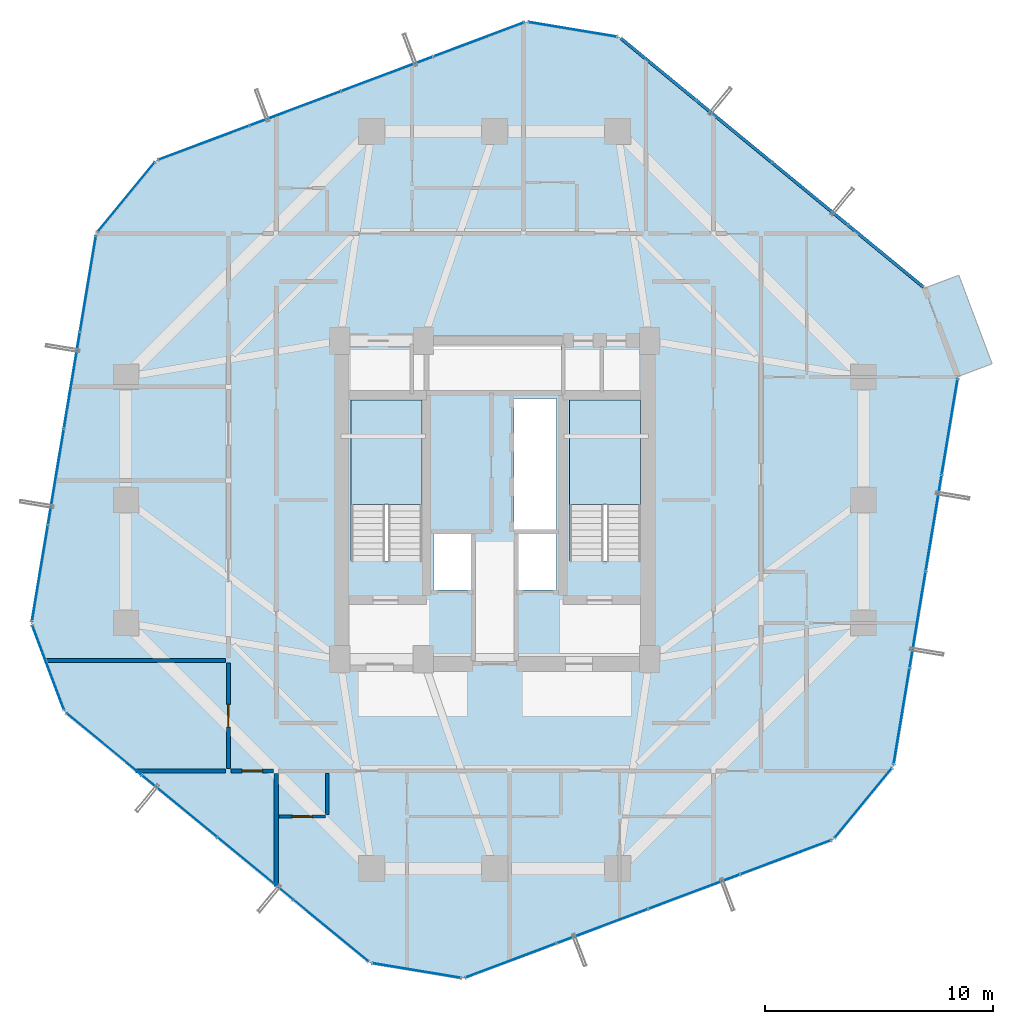
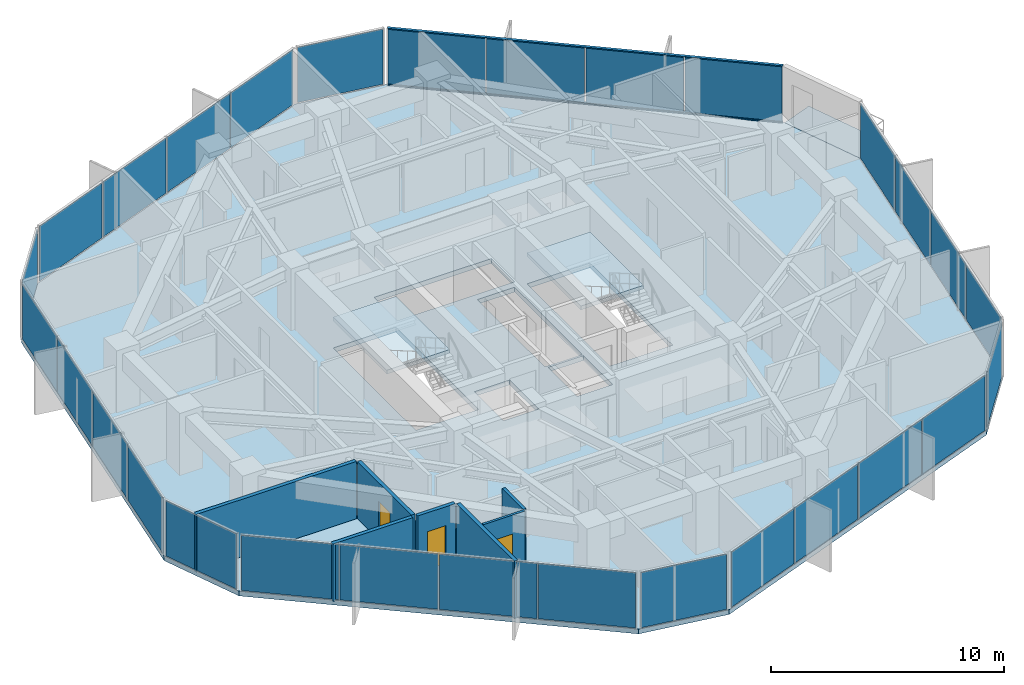
# One storey, part 24 of 30: 29 plates, 7 walls, 4 slabs, 3 doors, 2 members, 3 openings, 13 elements without a shape of their own.
"""IFC4 building model written with IfcOpenShell, lengths in metres."""

import ifcopenshell
import ifcopenshell.guid

model = None  # the IFC model being written
_history = None  # IfcOwnerHistory: only IFC2X3 demands one
_inside = {}  # id of a spatial element -> (the spatial element, [elements in it])
_under = {}  # id of a project, library or spatial element -> (it, [spatial elements below it])
_declared = {}  # id of a project -> (the project, [libraries it declares])
_typed = {}  # id of a type object -> (the type object, [elements of that type])
_made_of = {}  # id of a material, layer set ... -> (it, [elements and type objects made of it])


def new_model(schema):
    """Start an empty IFC model of exactly this schema.

    Asked for "IFC4X3", IfcOpenShell would pick the latest addendum, in which some entities
    have other attributes; the version numbers below select the first issue.
    IFC2X3 requires an IfcOwnerHistory on every rooted entity: one is made here for all.
    """
    global model, _history
    if schema == "IFC4X3":
        model = ifcopenshell.file(schema_version=(4, 3, 0, 0))
    else:
        model = ifcopenshell.file(schema=schema)
    _inside.clear()
    _under.clear()
    _declared.clear()
    _typed.clear()
    _made_of.clear()
    _history = None
    if model.schema == "IFC2X3":
        org = make("IfcOrganization", Name="unknown")
        user = make(
            "IfcPersonAndOrganization",
            ThePerson=make("IfcPerson", FamilyName="unknown"),
            TheOrganization=org,
        )
        app = make(
            "IfcApplication",
            ApplicationDeveloper=org,
            Version="unknown",
            ApplicationFullName="unknown",
            ApplicationIdentifier="unknown",
        )
        _history = make(
            "IfcOwnerHistory",
            OwningUser=user,
            OwningApplication=app,
            ChangeAction="ADDED",
            CreationDate=0,
        )
    return model


def make(cls, **values):
    """One entity of the class cls with the attributes given. An attribute that is None is left unset."""
    return model.create_entity(
        cls, **{name: value for name, value in values.items() if value is not None}
    )


def rooted(cls, **values):
    """An entity with a GlobalId (a new one), such as an element, a storey or a relation."""
    return make(cls, GlobalId=ifcopenshell.guid.new(), OwnerHistory=_history, **values)


def si_unit(unit_type, name, prefix=None):
    """IfcSIUnit, for example si_unit("LENGTHUNIT", "METRE", prefix="MILLI")."""
    return make("IfcSIUnit", UnitType=unit_type, Prefix=prefix, Name=name)


def assignment(units):
    """IfcUnitAssignment: the units of a project."""
    return None if units is None else make("IfcUnitAssignment", Units=units)


def point(xyz):
    """IfcCartesianPoint."""
    return None if xyz is None else make("IfcCartesianPoint", Coordinates=xyz)


def direction(xyz):
    """IfcDirection."""
    return None if xyz is None else make("IfcDirection", DirectionRatios=xyz)


def frame(location, z_axis=None, x_axis=None):
    """IfcAxis2Placement3D, a coordinate frame: its origin and axes. An axis left out is left unset."""
    return make(
        "IfcAxis2Placement3D",
        Location=point(location),
        Axis=direction(z_axis),
        RefDirection=direction(x_axis),
    )


def frame_2d(location, x_axis=None):
    """IfcAxis2Placement2D, a coordinate frame in the plane: its origin and x axis."""
    return make(
        "IfcAxis2Placement2D", Location=point(location), RefDirection=direction(x_axis)
    )


def origin():
    """The frame at (0, 0, 0) with its axes left unset."""
    return frame((0.0, 0.0, 0.0))


def origin_2d():
    """The frame at (0, 0) in the plane with its x axis left unset."""
    return frame_2d((0.0, 0.0))


def place(relative_to, where):
    """IfcLocalPlacement: puts the frame where relative to a parent placement (None: the world)."""
    return make(
        "IfcLocalPlacement", PlacementRelTo=relative_to, RelativePlacement=where
    )


def context(
    kind, dimensions, precision=None, world=None, true_north=None, identifier=None
):
    """IfcGeometricRepresentationContext, for example the 3D "Model" context."""
    return make(
        "IfcGeometricRepresentationContext",
        ContextIdentifier=identifier,
        ContextType=kind,
        CoordinateSpaceDimension=dimensions,
        Precision=precision,
        WorldCoordinateSystem=world,
        TrueNorth=true_north,
    )


def subcontext(parent, identifier, kind, view, scale=None):
    """IfcGeometricRepresentationSubContext, for example "Body" below "Model"."""
    return make(
        "IfcGeometricRepresentationSubContext",
        ContextIdentifier=identifier,
        ContextType=kind,
        ParentContext=parent,
        TargetScale=scale,
        TargetView=view,
    )


def project(units=None, contexts=None):
    """IfcProject with its units and contexts."""
    return rooted(
        "IfcProject",
        Name="project",
        RepresentationContexts=contexts,
        UnitsInContext=assignment(units),
    )


def spatial(cls, under=None, at=None, **own):
    """A site, building, storey or space (cls), placed at a placement, below another one or the project."""
    s = rooted(cls, ObjectPlacement=at, **own)
    if under is not None:
        _under.setdefault(under.id(), (under, []))[1].append(s)
    return s


def polyline(points):
    """IfcPolyline through the points."""
    return make("IfcPolyline", Points=[point(p) for p in points])


def profile(cls, at=None, kind="AREA", **sizes):
    """A parametric profile (cls). Its sizes go by their IFC names, for example OverallWidth=200.0."""
    return make(cls, ProfileType=kind, Position=at, **sizes)


def rectangle(**sizes):
    """IfcRectangleProfileDef."""
    return profile("IfcRectangleProfileDef", **sizes)


def hollow_rectangle(**sizes):
    """IfcRectangleHollowProfileDef."""
    return profile("IfcRectangleHollowProfileDef", **sizes)


def outline(outer, holes=None, kind="AREA"):
    """IfcArbitraryClosedProfileDef: a profile drawn as a closed curve; with holes, ...WithVoids."""
    if holes is None:
        return make("IfcArbitraryClosedProfileDef", ProfileType=kind, OuterCurve=outer)
    return make(
        "IfcArbitraryProfileDefWithVoids",
        ProfileType=kind,
        OuterCurve=outer,
        InnerCurves=holes,
    )


def extrude(swept, where, along, depth):
    """IfcExtrudedAreaSolid: the profile swept, set in the frame where, extruded along a direction by depth."""
    return make(
        "IfcExtrudedAreaSolid",
        SweptArea=swept,
        Position=where,
        ExtrudedDirection=direction(along),
        Depth=depth,
    )


def shape(context_of_items, identifier, shape_type, items):
    """IfcShapeRepresentation: the items that make up one representation, for example the "Body"."""
    return make(
        "IfcShapeRepresentation",
        ContextOfItems=context_of_items,
        RepresentationIdentifier=identifier,
        RepresentationType=shape_type,
        Items=items,
    )


def source(mapping_origin, context_of_items, identifier, shape_type, items):
    """IfcRepresentationMap: a shape defined once, which mapped items show again and again."""
    return make(
        "IfcRepresentationMap",
        MappingOrigin=mapping_origin,
        MappedRepresentation=shape(context_of_items, identifier, shape_type, items),
    )


def transform(
    local_origin,
    x_axis=None,
    y_axis=None,
    z_axis=None,
    scale=None,
    scale2=None,
    scale3=None,
    uniform=True,
):
    """IfcCartesianTransformationOperator3D, or its non-uniform kind. x_axis, y_axis, z_axis: its Axis1, 2, 3."""
    if uniform:
        return make(
            "IfcCartesianTransformationOperator3D",
            Axis1=direction(x_axis),
            Axis2=direction(y_axis),
            LocalOrigin=point(local_origin),
            Scale=scale,
            Axis3=direction(z_axis),
        )
    return make(
        "IfcCartesianTransformationOperator3DnonUniform",
        Axis1=direction(x_axis),
        Axis2=direction(y_axis),
        LocalOrigin=point(local_origin),
        Scale=scale,
        Axis3=direction(z_axis),
        Scale2=scale2,
        Scale3=scale3,
    )


def mapped(mapping_source, mapping_target):
    """IfcMappedItem: shows the shape of a source again, moved by a transform."""
    return make(
        "IfcMappedItem", MappingSource=mapping_source, MappingTarget=mapping_target
    )


def material(Name=None, Category=None):
    """IfcMaterial."""
    return make("IfcMaterial", Name=Name, Category=Category)


def layer(
    of_material, thickness, ventilated=None, Name=None, Category=None, Priority=None
):
    """IfcMaterialLayer: one layer of a wall or slab, of a material (None: an air gap)."""
    return make(
        "IfcMaterialLayer",
        Material=of_material,
        LayerThickness=thickness,
        IsVentilated=ventilated,
        Name=Name,
        Category=Category,
        Priority=Priority,
    )


def layer_set(layers, Name=None):
    """IfcMaterialLayerSet."""
    return make("IfcMaterialLayerSet", MaterialLayers=layers, LayerSetName=Name)


def material_profile(
    of_material, cross_section, Name=None, Category=None, Priority=None
):
    """IfcMaterialProfile: a cross section and its material."""
    return make(
        "IfcMaterialProfile",
        Name=Name,
        Material=of_material,
        Profile=cross_section,
        Priority=Priority,
        Category=Category,
    )


def profile_set(profiles, Name=None, composite=None):
    """IfcMaterialProfileSet."""
    return make(
        "IfcMaterialProfileSet",
        Name=Name,
        MaterialProfiles=profiles,
        CompositeProfile=composite,
    )


def made_of(thing, what):
    """Note that an element or type object is made of a material, layer set ...; save() writes the relation."""
    if what is not None:
        _made_of.setdefault(what.id(), (what, []))[1].append(thing)
    return thing


def type_object(cls, material=None, **own):
    """A type object (cls), such as IfcWallType, which elements share."""
    return made_of(rooted(cls, **own), material)


def element(
    cls,
    number,
    at=None,
    inside=None,
    cuts=None,
    type_object=None,
    material=None,
    context=None,
    identifier="Body",
    shape_type=None,
    held_by="IfcProductDefinitionShape",
    body=None,
    shapes=None,
    **own,
):
    """One element of the class cls, such as IfcWall. Its Tag is "e" and its number.

    at: its placement. inside: the storey or other place that contains it. cuts: it is an
    opening in that element (IfcRelVoidsElement). A single representation is given by context,
    identifier, shape_type and body (its items); several are given by shapes. held_by: the class
    of the entity that holds the representations. save() writes the other relations.
    """
    e = rooted(cls, Tag="e%d" % number, ObjectPlacement=at, **own)
    if body is not None:
        shapes = [shape(context, identifier, shape_type, body)]
    if shapes is not None:
        e.Representation = make(held_by, Representations=shapes)
    if inside is not None:
        _inside.setdefault(inside.id(), (inside, []))[1].append(e)
    if cuts is not None:
        rooted(
            "IfcRelVoidsElement", RelatingBuildingElement=cuts, RelatedOpeningElement=e
        )
    if type_object is not None:
        _typed.setdefault(type_object.id(), (type_object, []))[1].append(e)
    return made_of(e, material)


def fill(opening, filler):
    """IfcRelFillsElement: the door or window that sits in an opening."""
    return rooted(
        "IfcRelFillsElement",
        RelatingOpeningElement=opening,
        RelatedBuildingElement=filler,
    )


def aggregate(whole, parts):
    """IfcRelAggregates: a whole, such as a stair, and the parts it consists of."""
    return rooted("IfcRelAggregates", RelatingObject=whole, RelatedObjects=parts)


def save(model, path):
    """Write the relations noted so far, then the file.

    IfcRelAggregates (storeys below a building ...), IfcRelContainedInSpatialStructure (elements
    in a storey), IfcRelDefinesByType, IfcRelAssociatesMaterial and IfcRelDeclares: one each for
    every whole, place, type object, material and project.
    """
    for whole, parts in _under.values():
        aggregate(whole, parts)
    for where, things in _inside.values():
        rooted(
            "IfcRelContainedInSpatialStructure",
            RelatedElements=things,
            RelatingStructure=where,
        )
    for kind, things in _typed.values():
        rooted("IfcRelDefinesByType", RelatedObjects=things, RelatingType=kind)
    for what, things in _made_of.values():
        rooted("IfcRelAssociatesMaterial", RelatedObjects=things, RelatingMaterial=what)
    for by, libraries in _declared.values():
        rooted("IfcRelDeclares", RelatingContext=by, RelatedDefinitions=libraries)
    model.write(path)


model = new_model("IFC4")

# Units and contexts
model_context = context("Model", 3, precision=1e-05, world=origin(), true_north=direction((0.0, 1.0)))
body_context = subcontext(model_context, "Body", "Model", "MODEL_VIEW")
ifc_project = project(units=[si_unit("LENGTHUNIT", "METRE"), si_unit("AREAUNIT", "SQUARE_METRE"), si_unit("VOLUMEUNIT", "CUBIC_METRE"), si_unit("PLANEANGLEUNIT", "RADIAN"), si_unit("MASSUNIT", "GRAM", prefix="KILO")], contexts=[model_context])

# Site, building, storey
site_placement = place(None, origin())
site = spatial("IfcSite", under=ifc_project, at=site_placement, CompositionType="ELEMENT")
building_placement = place(site_placement, origin())
building = spatial("IfcBuilding", under=site, at=building_placement, Name="Veraguas Prism Commons", CompositionType="ELEMENT")
storey_placement = place(building_placement, frame((0.0, 0.0, 95.949951171875)))
storey = spatial("IfcBuildingStorey", under=building, at=storey_placement, Name="L26", CompositionType="ELEMENT", Elevation=95.949951171875)

# Curtain wall, members
ifc_material_1 = material(Name="Anodised aluminium EN AW-6063 T6", Category="aluminium")
ifc_layer_1 = layer(ifc_material_1, 0.169921875, Name="Unitised Flush Curtain Wall Zone 2", Category="aluminium")
ifc_layer_set_1 = layer_set([ifc_layer_1], Name="Anodised aluminium EN AW-6063 T6")
curtain_wall_type = type_object("IfcCurtainWallType", Name="Unitised Flush Curtain Wall Zone 2", PredefinedType="NOTDEFINED", material=ifc_layer_set_1)
curtain_wall_1_placement = place(storey_placement, origin())
curtain_wall_1 = element("IfcCurtainWall", 1, at=curtain_wall_1_placement, inside=storey, type_object=curtain_wall_type, Name="Tower Facade Curtain Wall L26-F1", PredefinedType="NOTDEFINED")
ifc_material_profile = material_profile(ifc_material_1, hollow_rectangle(XDim=0.054931640625, YDim=0.135009765625, WallThickness=0.0029296875, at=origin_2d()), Name="AL55X135X3")
ifc_profile_set = profile_set([ifc_material_profile], Name="Anodised aluminium EN AW-6063 T6")
member_type = type_object("IfcMemberType", Name="Curtain Wall Transom Standard AL 55x135x3", PredefinedType="USERDEFINED", material=ifc_profile_set)
shared_shape_1 = source(origin(), body_context, "Body", "SweptSolid", [
    extrude(hollow_rectangle(XDim=0.054931640625, YDim=0.135009765625, WallThickness=0.0029296875, at=origin_2d()), origin(), (0.0, 0.0, 1.0), 17.174072265625),
])
member_1_placement = place(storey_placement, frame((42.814453125, 33.365966796875, 0.027587890625), z_axis=(-0.77251629183, 0.634994943962, 0.0), x_axis=(0.0, 0.0, 1.0)))
member_1 = element("IfcMember", 2, at=member_1_placement, type_object=member_type, Name="CW-Z2 Transom 1", ObjectType="TRANSOM", PredefinedType="USERDEFINED", context=body_context, shape_type="MappedRepresentation", body=[
    mapped(shared_shape_1, transform((0.0, 0.0, 0.0), scale=1.0)),
])
member_2_placement = place(storey_placement, frame((42.814453125, 33.365966796875, 2.97265625), z_axis=(-0.77251629183, 0.634994943962, 0.0), x_axis=(0.0, 0.0, 1.0)))
member_2 = element("IfcMember", 3, at=member_2_placement, type_object=member_type, Name="CW-Z2 Transom 2", ObjectType="TRANSOM", PredefinedType="USERDEFINED", context=body_context, shape_type="MappedRepresentation", body=[
    mapped(shared_shape_1, transform((0.0, 0.0, 0.0), scale=1.0)),
])

# Stair, slab
ifc_material_2 = material(Name="Precast concrete C45/55", Category="concrete")
stair_type = type_object("IfcStairType", Name="Dogleg Core Stair 1480W 20R 05", PredefinedType="HALF_TURN_STAIR", material=ifc_material_2)
stair_1_placement = place(storey_placement, origin())
stair_1 = element("IfcStair", 4, at=stair_1_placement, inside=storey, type_object=stair_type, Name="Protected Exit Stair ST-01 L26", PredefinedType="HALF_TURN_STAIR")
ifc_layer_2 = layer(ifc_material_2, 0.199951171875, Name="Precast Stair and Ramp Landing Slab 200", Category="concrete")
ifc_layer_set_2 = layer_set([ifc_layer_2], Name="Precast concrete C45/55")
slab_type_1 = type_object("IfcSlabType", Name="Precast Stair and Ramp Landing Slab 200", PredefinedType="LANDING", material=ifc_layer_set_2)
slab_1_placement = place(storey_placement, frame((0.0, 0.0, 1.425048828125)))
slab_1 = element("IfcSlab", 5, at=slab_1_placement, type_object=slab_type_1, Name="ST-05 Landing 1", PredefinedType="LANDING", context=body_context, shape_type="SweptSolid", body=[
    extrude(outline(polyline([(20.800048828125, 23.800048828125), (20.800048828125, 28.39990234375), (17.68994140625, 28.39990234375), (17.68994140625, 23.800048828125), (20.800048828125, 23.800048828125)])), origin(), (0.0, 0.0, 1.0), 0.199951171875),
])
aggregate(stair_1, [slab_1])

stair_2_placement = place(storey_placement, origin())
stair_2 = element("IfcStair", 6, at=stair_2_placement, inside=storey, type_object=stair_type, Name="Protected Exit Stair ST-02 L26", PredefinedType="HALF_TURN_STAIR")
slab_2_placement = place(storey_placement, frame((0.0, 0.0, 1.425048828125)))
slab_2 = element("IfcSlab", 7, at=slab_2_placement, type_object=slab_type_1, Name="ST-05 Landing 1", PredefinedType="LANDING", context=body_context, shape_type="SweptSolid", body=[
    extrude(outline(polyline([(30.39990234375, 23.800048828125), (30.39990234375, 28.39990234375), (27.2900390625, 28.39990234375), (27.2900390625, 23.800048828125), (30.39990234375, 23.800048828125)])), origin(), (0.0, 0.0, 1.0), 0.199951171875),
])
aggregate(stair_2, [slab_2])

# Slabs
ifc_material_3 = material(Name="Concrete C45/55", Category="concrete")
ifc_layer_3 = layer(ifc_material_3, 0.219970703125, Name="Recessed Loggia and Terrace Slab RC 220", Category="concrete")
ifc_layer_set_3 = layer_set([ifc_layer_3], Name="Concrete C45/55")
slab_type_2 = type_object("IfcSlabType", Name="Recessed Loggia and Terrace Slab RC 220", PredefinedType="FLOOR", material=ifc_layer_set_3)
slab_3_placement = place(storey_placement, frame((0.0, 0.0, -0.219970703125)))
element("IfcSlab", 8, at=slab_3_placement, inside=storey, type_object=slab_type_2, Name="Recessed Corner Loggia L26-C1", PredefinedType="FLOOR", context=body_context, shape_type="SweptSolid", body=[
    extrude(outline(polyline([(44.3251953125, 29.41357421875), (45.841796875, 29.98291015625), (44.382080078125, 33.87109375), (42.865478515625, 33.3017578125), (44.3251953125, 29.41357421875)])), origin(), (0.0, 0.0, 1.0), 0.219970703125),
])
ifc_layer_4 = layer(ifc_material_3, 0.25, Name="Tower Lower Residential Floor Slab RC 250", Category="concrete")
ifc_layer_set_4 = layer_set([ifc_layer_4], Name="Concrete C45/55")
slab_type_3 = type_object("IfcSlabType", Name="Tower Lower Residential Floor Slab RC 250", PredefinedType="FLOOR", material=ifc_layer_set_4)
slab_4_placement = place(storey_placement, frame((0.0, 0.0, -0.25)))
element("IfcSlab", 9, at=slab_4_placement, inside=storey, type_object=slab_type_3, Name="Tower Floor Slab L26", PredefinedType="FLOOR", context=body_context, shape_type="SweptSolid", body=[
    extrude(outline(polyline([(44.343994140625, 29.420654296875), (42.884033203125, 33.30859375), (29.4775390625, 44.32861328125), (25.380615234375, 45.00830078125), (9.133544921875, 38.908203125), (6.496337890625, 35.69970703125), (3.656005859375, 18.579345703125), (5.115966796875, 14.69140625), (18.5224609375, 3.67138671875), (22.619384765625, 2.99169921875), (38.866455078125, 9.091796875), (41.503662109375, 12.30029296875), (44.343994140625, 29.420654296875)]), holes=[polyline([(20.800048828125, 21.31005859375), (20.800048828125, 28.39990234375), (17.68994140625, 28.39990234375), (17.68994140625, 21.31005859375), (20.800048828125, 21.31005859375)]), polyline([(30.39990234375, 21.31005859375), (30.39990234375, 28.39990234375), (27.2900390625, 28.39990234375), (27.2900390625, 21.31005859375), (30.39990234375, 21.31005859375)]), polyline([(24.85009765625, 22.64990234375), (26.699951171875, 22.64990234375), (26.699951171875, 28.449951171875), (24.85009765625, 28.449951171875), (24.85009765625, 22.64990234375)]), polyline([(21.10009765625, 28.800048828125), (26.89990234375, 28.800048828125), (26.89990234375, 30.800048828125), (21.10009765625, 30.800048828125), (21.10009765625, 28.800048828125)]), polyline([(21.300048828125, 20.050048828125), (23.050048828125, 20.050048828125), (23.050048828125, 22.550048828125), (21.300048828125, 22.550048828125), (21.300048828125, 20.050048828125)]), polyline([(24.949951171875, 20.050048828125), (26.699951171875, 20.050048828125), (26.699951171875, 22.550048828125), (24.949951171875, 22.550048828125), (24.949951171875, 20.050048828125)])]), origin(), (0.0, 0.0, 1.0), 0.25),
])

# Plate
ifc_material_4 = material(Name="Laminated low-e glass", Category="glass")
ifc_layer_5 = layer(ifc_material_4, 0.028076171875, Name="Unitised Double Low-E Glazed Panel 28", Category="glass")
ifc_layer_set_5 = layer_set([ifc_layer_5], Name="Laminated low-e glass")
plate_type = type_object("IfcPlateType", Name="Unitised Double Low-E Glazed Panel 28", PredefinedType="CURTAIN_PANEL", material=ifc_layer_set_5)
shared_shape_2 = source(origin(), body_context, "Body", "SweptSolid", [
    extrude(rectangle(XDim=4.218505859375, YDim=0.028076171875, at=origin_2d()), origin(), (0.0, 0.0, 1.0), 2.889892578125),
])
plate_1_placement = place(storey_placement, frame((41.161865234375, 34.724365234375, 0.05517578125), z_axis=(0.0, 0.0, 1.0), x_axis=(-0.772511963678, 0.635000209429, 0.0)))
plate_1 = element("IfcPlate", 10, at=plate_1_placement, type_object=plate_type, Name="CW-Z2 Panel 1.1", PredefinedType="CURTAIN_PANEL", context=body_context, shape_type="MappedRepresentation", body=[
    mapped(shared_shape_2, transform((0.0, 0.0, 0.0), scale=1.0)),
])

plate_2_placement = place(storey_placement, frame((31.19970703125, 42.9130859375, 0.05517578125), z_axis=(0.0, 0.0, 1.0), x_axis=(-0.772511963678, 0.635000209429, 0.0)))
plate_2 = element("IfcPlate", 11, at=plate_2_placement, type_object=plate_type, Name="CW-Z2 Panel 4.1", PredefinedType="CURTAIN_PANEL", context=body_context, shape_type="MappedRepresentation", body=[
    mapped(shared_shape_2, transform((0.0, 0.0, 0.0), scale=1.0)),
])

# Curtain wall, plates
curtain_wall_2_placement = place(storey_placement, origin())
curtain_wall_2 = element("IfcCurtainWall", 12, at=curtain_wall_2_placement, inside=storey, type_object=curtain_wall_type, Name="Tower Facade Curtain Wall L26-F2", PredefinedType="NOTDEFINED")
plate_3_placement = place(storey_placement, frame((23.29345703125, 44.224853515625, 0.05517578125), z_axis=(0.0, 0.0, 1.0), x_axis=(-0.93618290812, -0.351513246611, 0.0)))
plate_3 = element("IfcPlate", 13, at=plate_3_placement, type_object=plate_type, Name="CW-Z2 Panel 1.1", PredefinedType="CURTAIN_PANEL", context=body_context, shape_type="MappedRepresentation", body=[
    mapped(shared_shape_2, transform((0.0, 0.0, 0.0), scale=1.0)),
])
plate_4_placement = place(storey_placement, frame((11.220703125, 39.691650390625, 0.05517578125), z_axis=(0.0, 0.0, 1.0), x_axis=(-0.93618290812, -0.351513246611, 0.0)))
plate_4 = element("IfcPlate", 14, at=plate_4_placement, type_object=plate_type, Name="CW-Z2 Panel 4.1", PredefinedType="CURTAIN_PANEL", context=body_context, shape_type="MappedRepresentation", body=[
    mapped(shared_shape_2, transform((0.0, 0.0, 0.0), scale=1.0)),
])

curtain_wall_3_placement = place(storey_placement, origin())
curtain_wall_3 = element("IfcCurtainWall", 15, at=curtain_wall_3_placement, inside=storey, type_object=curtain_wall_type, Name="Tower Facade Curtain Wall L26-F3", PredefinedType="NOTDEFINED")
plate_5_placement = place(storey_placement, frame((6.131591796875, 33.50048828125, 0.05517578125), z_axis=(0.0, 0.0, 1.0), x_axis=(-0.163672052728, -0.986514804327, 0.0)))
plate_5 = element("IfcPlate", 16, at=plate_5_placement, type_object=plate_type, Name="CW-Z2 Panel 1.1", PredefinedType="CURTAIN_PANEL", context=body_context, shape_type="MappedRepresentation", body=[
    mapped(shared_shape_2, transform((0.0, 0.0, 0.0), scale=1.0)),
])
plate_6_placement = place(storey_placement, frame((4.020751953125, 20.778564453125, 0.05517578125), z_axis=(0.0, 0.0, 1.0), x_axis=(-0.163672052728, -0.986514804327, 0.0)))
plate_6 = element("IfcPlate", 17, at=plate_6_placement, type_object=plate_type, Name="CW-Z2 Panel 4.1", PredefinedType="CURTAIN_PANEL", context=body_context, shape_type="MappedRepresentation", body=[
    mapped(shared_shape_2, transform((0.0, 0.0, 0.0), scale=1.0)),
])

curtain_wall_4_placement = place(storey_placement, origin())
curtain_wall_4 = element("IfcCurtainWall", 18, at=curtain_wall_4_placement, inside=storey, type_object=curtain_wall_type, Name="Tower Facade Curtain Wall L26-F4", PredefinedType="NOTDEFINED")
plate_7_placement = place(storey_placement, frame((6.838134765625, 13.275634765625, 0.05517578125), z_axis=(0.0, 0.0, 1.0), x_axis=(0.772511963678, -0.635000209429, 0.0)))
plate_7 = element("IfcPlate", 19, at=plate_7_placement, type_object=plate_type, Name="CW-Z2 Panel 1.1", PredefinedType="CURTAIN_PANEL", context=body_context, shape_type="MappedRepresentation", body=[
    mapped(shared_shape_2, transform((0.0, 0.0, 0.0), scale=1.0)),
])
plate_8_placement = place(storey_placement, frame((16.80029296875, 5.0869140625, 0.05517578125), z_axis=(0.0, 0.0, 1.0), x_axis=(0.772511963678, -0.635000209429, 0.0)))
plate_8 = element("IfcPlate", 20, at=plate_8_placement, type_object=plate_type, Name="CW-Z2 Panel 4.1", PredefinedType="CURTAIN_PANEL", context=body_context, shape_type="MappedRepresentation", body=[
    mapped(shared_shape_2, transform((0.0, 0.0, 0.0), scale=1.0)),
])

curtain_wall_5_placement = place(storey_placement, origin())
curtain_wall_5 = element("IfcCurtainWall", 21, at=curtain_wall_5_placement, inside=storey, type_object=curtain_wall_type, Name="Tower Facade Curtain Wall L26-F5", PredefinedType="NOTDEFINED")
plate_9_placement = place(storey_placement, frame((24.70654296875, 3.775146484375, 0.05517578125), z_axis=(0.0, 0.0, 1.0), x_axis=(0.93618290812, 0.351513246611, 0.0)))
plate_9 = element("IfcPlate", 22, at=plate_9_placement, type_object=plate_type, Name="CW-Z2 Panel 1.1", PredefinedType="CURTAIN_PANEL", context=body_context, shape_type="MappedRepresentation", body=[
    mapped(shared_shape_2, transform((0.0, 0.0, 0.0), scale=1.0)),
])
plate_10_placement = place(storey_placement, frame((36.779296875, 8.308349609375, 0.05517578125), z_axis=(0.0, 0.0, 1.0), x_axis=(0.93618290812, 0.351513246611, 0.0)))
plate_10 = element("IfcPlate", 23, at=plate_10_placement, type_object=plate_type, Name="CW-Z2 Panel 4.1", PredefinedType="CURTAIN_PANEL", context=body_context, shape_type="MappedRepresentation", body=[
    mapped(shared_shape_2, transform((0.0, 0.0, 0.0), scale=1.0)),
])

curtain_wall_6_placement = place(storey_placement, origin())
curtain_wall_6 = element("IfcCurtainWall", 24, at=curtain_wall_6_placement, inside=storey, type_object=curtain_wall_type, Name="Tower Facade Curtain Wall L26-F6", PredefinedType="NOTDEFINED")
plate_11_placement = place(storey_placement, frame((41.868408203125, 14.49951171875, 0.05517578125), z_axis=(0.0, 0.0, 1.0), x_axis=(0.163672052728, 0.986514804327, 0.0)))
plate_11 = element("IfcPlate", 25, at=plate_11_placement, type_object=plate_type, Name="CW-Z2 Panel 1.1", PredefinedType="CURTAIN_PANEL", context=body_context, shape_type="MappedRepresentation", body=[
    mapped(shared_shape_2, transform((0.0, 0.0, 0.0), scale=1.0)),
])
plate_12_placement = place(storey_placement, frame((43.979248046875, 27.221435546875, 0.05517578125), z_axis=(0.0, 0.0, 1.0), x_axis=(0.163672052728, 0.986514804327, 0.0)))
plate_12 = element("IfcPlate", 26, at=plate_12_placement, type_object=plate_type, Name="CW-Z2 Panel 4.1", PredefinedType="CURTAIN_PANEL", context=body_context, shape_type="MappedRepresentation", body=[
    mapped(shared_shape_2, transform((0.0, 0.0, 0.0), scale=1.0)),
])

# Plate
shared_shape_3 = source(origin(), body_context, "Body", "SweptSolid", [
    extrude(rectangle(XDim=4.24853515625, YDim=0.028076171875, at=origin_2d()), origin(), (0.0, 0.0, 1.0), 2.889892578125),
])
plate_13_placement = place(storey_placement, frame((37.844970703125, 37.45068359375, 0.05517578125), z_axis=(0.0, 0.0, 1.0), x_axis=(-0.772511963678, 0.635000209429, 0.0)))
plate_13 = element("IfcPlate", 27, at=plate_13_placement, type_object=plate_type, Name="CW-Z2 Panel 2.1", PredefinedType="CURTAIN_PANEL", context=body_context, shape_type="MappedRepresentation", body=[
    mapped(shared_shape_3, transform((0.0, 0.0, 0.0), scale=1.0)),
])

plate_14_placement = place(storey_placement, frame((34.5166015625, 40.186767578125, 0.05517578125), z_axis=(0.0, 0.0, 1.0), x_axis=(-0.772511963678, 0.635000209429, 0.0)))
plate_14 = element("IfcPlate", 28, at=plate_14_placement, type_object=plate_type, Name="CW-Z2 Panel 3.1", PredefinedType="CURTAIN_PANEL", context=body_context, shape_type="MappedRepresentation", body=[
    mapped(shared_shape_3, transform((0.0, 0.0, 0.0), scale=1.0)),
])

aggregate(curtain_wall_1, [member_1, member_2, plate_1, plate_13, plate_14, plate_2])

plate_15_placement = place(storey_placement, frame((19.27392578125, 42.715576171875, 0.05517578125), z_axis=(0.0, 0.0, 1.0), x_axis=(-0.93618290812, -0.351513246611, 0.0)))
plate_15 = element("IfcPlate", 29, at=plate_15_placement, type_object=plate_type, Name="CW-Z2 Panel 2.1", PredefinedType="CURTAIN_PANEL", context=body_context, shape_type="MappedRepresentation", body=[
    mapped(shared_shape_3, transform((0.0, 0.0, 0.0), scale=1.0)),
])

plate_16_placement = place(storey_placement, frame((15.240234375, 41.200927734375, 0.05517578125), z_axis=(0.0, 0.0, 1.0), x_axis=(-0.93618290812, -0.351513246611, 0.0)))
plate_16 = element("IfcPlate", 30, at=plate_16_placement, type_object=plate_type, Name="CW-Z2 Panel 3.1", PredefinedType="CURTAIN_PANEL", context=body_context, shape_type="MappedRepresentation", body=[
    mapped(shared_shape_3, transform((0.0, 0.0, 0.0), scale=1.0)),
])

aggregate(curtain_wall_2, [plate_3, plate_15, plate_16, plate_4])

plate_17_placement = place(storey_placement, frame((5.4287109375, 29.264892578125, 0.05517578125), z_axis=(0.0, 0.0, 1.0), x_axis=(-0.163672052728, -0.986514804327, 0.0)))
plate_17 = element("IfcPlate", 31, at=plate_17_placement, type_object=plate_type, Name="CW-Z2 Panel 2.1", PredefinedType="CURTAIN_PANEL", context=body_context, shape_type="MappedRepresentation", body=[
    mapped(shared_shape_3, transform((0.0, 0.0, 0.0), scale=1.0)),
])

plate_18_placement = place(storey_placement, frame((4.7236328125, 25.014404296875, 0.05517578125), z_axis=(0.0, 0.0, 1.0), x_axis=(-0.163672052728, -0.986514804327, 0.0)))
plate_18 = element("IfcPlate", 32, at=plate_18_placement, type_object=plate_type, Name="CW-Z2 Panel 3.1", PredefinedType="CURTAIN_PANEL", context=body_context, shape_type="MappedRepresentation", body=[
    mapped(shared_shape_3, transform((0.0, 0.0, 0.0), scale=1.0)),
])

aggregate(curtain_wall_3, [plate_5, plate_17, plate_18, plate_6])

plate_19_placement = place(storey_placement, frame((10.155029296875, 10.54931640625, 0.05517578125), z_axis=(0.0, 0.0, 1.0), x_axis=(0.772511963678, -0.635000209429, 0.0)))
plate_19 = element("IfcPlate", 33, at=plate_19_placement, type_object=plate_type, Name="CW-Z2 Panel 2.1", PredefinedType="CURTAIN_PANEL", context=body_context, shape_type="MappedRepresentation", body=[
    mapped(shared_shape_3, transform((0.0, 0.0, 0.0), scale=1.0)),
])

plate_20_placement = place(storey_placement, frame((13.4833984375, 7.813232421875, 0.05517578125), z_axis=(0.0, 0.0, 1.0), x_axis=(0.772511963678, -0.635000209429, 0.0)))
plate_20 = element("IfcPlate", 34, at=plate_20_placement, type_object=plate_type, Name="CW-Z2 Panel 3.1", PredefinedType="CURTAIN_PANEL", context=body_context, shape_type="MappedRepresentation", body=[
    mapped(shared_shape_3, transform((0.0, 0.0, 0.0), scale=1.0)),
])

aggregate(curtain_wall_4, [plate_7, plate_19, plate_20, plate_8])

plate_21_placement = place(storey_placement, frame((28.72607421875, 5.284423828125, 0.05517578125), z_axis=(0.0, 0.0, 1.0), x_axis=(0.93618290812, 0.351513246611, 0.0)))
plate_21 = element("IfcPlate", 35, at=plate_21_placement, type_object=plate_type, Name="CW-Z2 Panel 2.1", PredefinedType="CURTAIN_PANEL", context=body_context, shape_type="MappedRepresentation", body=[
    mapped(shared_shape_3, transform((0.0, 0.0, 0.0), scale=1.0)),
])

plate_22_placement = place(storey_placement, frame((32.759765625, 6.799072265625, 0.05517578125), z_axis=(0.0, 0.0, 1.0), x_axis=(0.93618290812, 0.351513246611, 0.0)))
plate_22 = element("IfcPlate", 36, at=plate_22_placement, type_object=plate_type, Name="CW-Z2 Panel 3.1", PredefinedType="CURTAIN_PANEL", context=body_context, shape_type="MappedRepresentation", body=[
    mapped(shared_shape_3, transform((0.0, 0.0, 0.0), scale=1.0)),
])

aggregate(curtain_wall_5, [plate_9, plate_21, plate_22, plate_10])

plate_23_placement = place(storey_placement, frame((42.5712890625, 18.735107421875, 0.05517578125), z_axis=(0.0, 0.0, 1.0), x_axis=(0.163672052728, 0.986514804327, 0.0)))
plate_23 = element("IfcPlate", 37, at=plate_23_placement, type_object=plate_type, Name="CW-Z2 Panel 2.1", PredefinedType="CURTAIN_PANEL", context=body_context, shape_type="MappedRepresentation", body=[
    mapped(shared_shape_3, transform((0.0, 0.0, 0.0), scale=1.0)),
])

plate_24_placement = place(storey_placement, frame((43.2763671875, 22.985595703125, 0.05517578125), z_axis=(0.0, 0.0, 1.0), x_axis=(0.163672052728, 0.986514804327, 0.0)))
plate_24 = element("IfcPlate", 38, at=plate_24_placement, type_object=plate_type, Name="CW-Z2 Panel 3.1", PredefinedType="CURTAIN_PANEL", context=body_context, shape_type="MappedRepresentation", body=[
    mapped(shared_shape_3, transform((0.0, 0.0, 0.0), scale=1.0)),
])

aggregate(curtain_wall_6, [plate_11, plate_23, plate_24, plate_12])

# Curtain wall, plate
curtain_wall_7_placement = place(storey_placement, origin())
curtain_wall_7 = element("IfcCurtainWall", 39, at=curtain_wall_7_placement, inside=storey, type_object=curtain_wall_type, Name="Chamfer Curtain Wall L26-C2", PredefinedType="NOTDEFINED")
shared_shape_4 = source(origin(), body_context, "Body", "SweptSolid", [
    extrude(rectangle(XDim=3.9130859375, YDim=0.028076171875, at=origin_2d()), origin(), (0.0, 0.0, 1.0), 2.889892578125),
])
plate_25_placement = place(storey_placement, frame((27.428955078125, 44.66845703125, 0.05517578125), z_axis=(0.0, 0.0, 1.0), x_axis=(-0.986515089987, 0.163670330935, 0.0)))
plate_25 = element("IfcPlate", 40, at=plate_25_placement, type_object=plate_type, Name="CW-Z2 Panel 1.1", PredefinedType="CURTAIN_PANEL", context=body_context, shape_type="MappedRepresentation", body=[
    mapped(shared_shape_4, transform((0.0, 0.0, 0.0), scale=1.0)),
])
aggregate(curtain_wall_7, [plate_25])

curtain_wall_8_placement = place(storey_placement, origin())
curtain_wall_8 = element("IfcCurtainWall", 41, at=curtain_wall_8_placement, inside=storey, type_object=curtain_wall_type, Name="Chamfer Curtain Wall L26-C3", PredefinedType="NOTDEFINED")
plate_26_placement = place(storey_placement, frame((7.81494140625, 37.303955078125, 0.05517578125), z_axis=(0.0, 0.0, 1.0), x_axis=(-0.63501234394, -0.772501989023, 0.0)))
plate_26 = element("IfcPlate", 42, at=plate_26_placement, type_object=plate_type, Name="CW-Z2 Panel 1.1", PredefinedType="CURTAIN_PANEL", context=body_context, shape_type="MappedRepresentation", body=[
    mapped(shared_shape_4, transform((0.0, 0.0, 0.0), scale=1.0)),
])
aggregate(curtain_wall_8, [plate_26])

curtain_wall_9_placement = place(storey_placement, origin())
curtain_wall_9 = element("IfcCurtainWall", 43, at=curtain_wall_9_placement, inside=storey, type_object=curtain_wall_type, Name="Chamfer Curtain Wall L26-C4", PredefinedType="NOTDEFINED")
plate_27_placement = place(storey_placement, frame((4.385986328125, 16.63525390625, 0.05517578125), z_axis=(0.0, 0.0, 1.0), x_axis=(0.351518148449, -0.936181067589, 0.0)))
plate_27 = element("IfcPlate", 44, at=plate_27_placement, type_object=plate_type, Name="CW-Z2 Panel 1.1", PredefinedType="CURTAIN_PANEL", context=body_context, shape_type="MappedRepresentation", body=[
    mapped(shared_shape_4, transform((0.0, 0.0, 0.0), scale=1.0)),
])
aggregate(curtain_wall_9, [plate_27])

curtain_wall_10_placement = place(storey_placement, origin())
curtain_wall_10 = element("IfcCurtainWall", 45, at=curtain_wall_10_placement, inside=storey, type_object=curtain_wall_type, Name="Chamfer Curtain Wall L26-C5", PredefinedType="NOTDEFINED")
plate_28_placement = place(storey_placement, frame((20.571044921875, 3.33154296875, 0.05517578125), z_axis=(0.0, 0.0, 1.0), x_axis=(0.986515089987, -0.163670330935, 0.0)))
plate_28 = element("IfcPlate", 46, at=plate_28_placement, type_object=plate_type, Name="CW-Z2 Panel 1.1", PredefinedType="CURTAIN_PANEL", context=body_context, shape_type="MappedRepresentation", body=[
    mapped(shared_shape_4, transform((0.0, 0.0, 0.0), scale=1.0)),
])
aggregate(curtain_wall_10, [plate_28])

curtain_wall_11_placement = place(storey_placement, origin())
curtain_wall_11 = element("IfcCurtainWall", 47, at=curtain_wall_11_placement, inside=storey, type_object=curtain_wall_type, Name="Chamfer Curtain Wall L26-C6", PredefinedType="NOTDEFINED")
plate_29_placement = place(storey_placement, frame((40.18505859375, 10.696044921875, 0.05517578125), z_axis=(0.0, 0.0, 1.0), x_axis=(0.63501234394, 0.772501989023, 0.0)))
plate_29 = element("IfcPlate", 48, at=plate_29_placement, type_object=plate_type, Name="CW-Z2 Panel 1.1", PredefinedType="CURTAIN_PANEL", context=body_context, shape_type="MappedRepresentation", body=[
    mapped(shared_shape_4, transform((0.0, 0.0, 0.0), scale=1.0)),
])
aggregate(curtain_wall_11, [plate_29])

# Walls
ifc_material_5 = material(Name="Autoclaved aerated masonry block 10 MPa", Category="masonry")
ifc_layer_6 = layer(ifc_material_5, 0.179931640625, Name="Corridor and Inter-Tenancy Partition 180", Category="masonry")
ifc_layer_set_6 = layer_set([ifc_layer_6], Name="Autoclaved aerated masonry block 10 MPa")
wall_type_1 = type_object("IfcWallType", Name="Corridor and Inter-Tenancy Partition 180", PredefinedType="PARTITIONING", material=ifc_layer_set_6)
wall_1_placement = place(storey_placement, frame((14.39990234375, 11.97998046875, 0.0), z_axis=(0.0, 0.0, 1.0), x_axis=(0.0, -1.0, 0.0)))
element("IfcWall", 49, at=wall_1_placement, inside=storey, type_object=wall_type_1, Name="WL-L26-PT001", PredefinedType="PARTITIONING", context=body_context, shape_type="SweptSolid", body=[
    extrude(rectangle(XDim=4.958984375, YDim=0.179931640625, at=frame_2d((2.4794921875, 0.0))), origin(), (0.0, 0.0, 1.0), 3.0),
])
wall_2_placement = place(storey_placement, frame((12.179931640625, 12.10009765625, 0.0), z_axis=(0.0, 0.0, 1.0), x_axis=(-1.0, 0.0, 0.0)))
element("IfcWall", 50, at=wall_2_placement, inside=storey, type_object=wall_type_1, Name="WL-L26-PT030", PredefinedType="PARTITIONING", context=body_context, shape_type="SweptSolid", body=[
    extrude(rectangle(XDim=3.958740234375, YDim=0.179931640625, at=frame_2d((1.9794921875, 0.0))), origin(), (0.0, 0.0, 1.0), 3.0),
])

# Wall, opening, door
wall_3_placement = place(storey_placement, frame((12.300048828125, 12.2099609375, 0.0), z_axis=(0.0, 0.0, 1.0), x_axis=(0.0, 1.0, 0.0)))
wall_3 = element("IfcWall", 51, at=wall_3_placement, inside=storey, type_object=wall_type_1, Name="WL-L26-PT032", PredefinedType="PARTITIONING", context=body_context, shape_type="SweptSolid", body=[
    extrude(rectangle(XDim=4.6259765625, YDim=0.179931640625, at=frame_2d((2.31298828125, 0.0))), origin(), (0.0, 0.0, 1.0), 3.0),
])
opening_1_placement = place(wall_3_placement, frame((1.81298828125, 0.0, 0.0)))
opening_1 = element("IfcOpeningElement", 52, at=opening_1_placement, cuts=wall_3, Name="Opening DR-13", PredefinedType="OPENING", context=body_context, shape_type="SweptSolid", body=[
    extrude(rectangle(XDim=1.0, YDim=2.010009765625, at=frame_2d((0.5, 1.0048828125))), frame((0.0, 0.099853515625, 0.0), z_axis=(0.0, -1.0, 0.0), x_axis=(1.0, 0.0, 0.0)), (0.0, 0.0, 1.0), 0.199951171875),
])
ifc_material_6 = material(Name="Steel fire-rated door assembly", Category="steel")
door_type_1 = type_object("IfcDoorType", Name="Core Accessible WC and Clinic Fire Door 1000x2010", OperationType="NOTDEFINED", PredefinedType="DOOR", material=ifc_material_6)
shared_shape_5 = source(origin(), body_context, "Body", "SweptSolid", [
    extrude(rectangle(XDim=1.0, YDim=2.010009765625, at=frame_2d((0.5, 1.0048828125))), frame((0.0, 0.02490234375, 0.0), z_axis=(0.0, -1.0, 0.0), x_axis=(1.0, 0.0, 0.0)), (0.0, 0.0, 1.0), 0.050048828125),
])
door_1_placement = place(opening_1_placement, origin())
door_1 = element("IfcDoor", 53, at=door_1_placement, inside=storey, type_object=door_type_1, Name="Residents Study Room Door", OperationType="SINGLE_SWING_LEFT", OverallHeight=2.010009765625, OverallWidth=1.0, PredefinedType="DOOR", context=body_context, shape_type="MappedRepresentation", body=[
    mapped(shared_shape_5, transform((0.0, 0.0, 0.0), scale=1.0)),
])
fill(opening_1, door_1)

# Wall
wall_4_placement = place(storey_placement, frame((12.179931640625, 16.946044921875, 0.0), z_axis=(0.0, 0.0, 1.0), x_axis=(-1.0, 0.0, 0.0)))
element("IfcWall", 54, at=wall_4_placement, inside=storey, type_object=wall_type_1, Name="WL-L26-PT034", PredefinedType="PARTITIONING", context=body_context, shape_type="SweptSolid", body=[
    extrude(rectangle(XDim=7.942626953125, YDim=0.179931640625, at=frame_2d((3.97119140625, 0.0))), origin(), (0.0, 0.0, 1.0), 3.0),
])

# Wall, opening, door
wall_5_placement = place(storey_placement, frame((12.419921875, 12.10009765625, 0.0), z_axis=(0.0, 0.0, 1.0), x_axis=(1.0, 0.0, 0.0)))
wall_5 = element("IfcWall", 55, at=wall_5_placement, inside=storey, type_object=wall_type_1, Name="WL-L26-PT051", PredefinedType="PARTITIONING", context=body_context, shape_type="SweptSolid", body=[
    extrude(rectangle(XDim=1.860107421875, YDim=0.179931640625, at=frame_2d((0.93017578125, 0.0))), origin(), (0.0, 0.0, 1.0), 3.0),
])
opening_2_placement = place(wall_5_placement, frame((0.47998046875, 0.0, 0.0)))
opening_2 = element("IfcOpeningElement", 56, at=opening_2_placement, cuts=wall_5, Name="Opening DR-14", PredefinedType="OPENING", context=body_context, shape_type="SweptSolid", body=[
    extrude(rectangle(XDim=0.89990234375, YDim=2.010009765625, at=frame_2d((0.449951171875, 1.0048828125))), frame((0.0, 0.099853515625, 0.0), z_axis=(0.0, -1.0, 0.0), x_axis=(1.0, 0.0, 0.0)), (0.0, 0.0, 1.0), 0.199951171875),
])
door_type_2 = type_object("IfcDoorType", Name="Core Service Room Fire Door 900x2010", OperationType="NOTDEFINED", PredefinedType="DOOR", material=ifc_material_6)
shared_shape_6 = source(origin(), body_context, "Body", "SweptSolid", [
    extrude(rectangle(XDim=0.89990234375, YDim=2.010009765625, at=frame_2d((0.449951171875, 1.0048828125))), frame((0.0, 0.02490234375, 0.0), z_axis=(0.0, -1.0, 0.0), x_axis=(1.0, 0.0, 0.0)), (0.0, 0.0, 1.0), 0.050048828125),
])
door_2_placement = place(opening_2_placement, origin())
door_2 = element("IfcDoor", 57, at=door_2_placement, inside=storey, type_object=door_type_2, Name="Residents Corner Study Room SW Door", OperationType="SINGLE_SWING_LEFT", OverallHeight=2.010009765625, OverallWidth=0.89990234375, PredefinedType="DOOR", context=body_context, shape_type="MappedRepresentation", body=[
    mapped(shared_shape_6, transform((0.0, 0.0, 0.0), scale=1.0)),
])
fill(opening_2, door_2)

ifc_material_7 = material(Name="Lightweight acoustic gypsum board")
ifc_layer_7 = layer(ifc_material_7, 0.125, Name="Internal Apartment Room Partition 125")
ifc_layer_set_7 = layer_set([ifc_layer_7], Name="Lightweight acoustic gypsum board")
wall_type_2 = type_object("IfcWallType", Name="Internal Apartment Room Partition 125", PredefinedType="PARTITIONING", material=ifc_layer_set_7)
wall_6_placement = place(storey_placement, frame((14.52001953125, 10.10009765625, 0.0), z_axis=(0.0, 0.0, 1.0), x_axis=(1.0, 0.0, 0.0)))
wall_6 = element("IfcWall", 58, at=wall_6_placement, inside=storey, type_object=wall_type_2, Name="WL-L26-PT005", PredefinedType="PARTITIONING", context=body_context, shape_type="SweptSolid", body=[
    extrude(rectangle(XDim=2.050048828125, YDim=0.125, at=frame_2d((1.02490234375, 0.0))), origin(), (0.0, 0.0, 1.0), 3.0),
])
opening_3_placement = place(wall_6_placement, frame((0.594970703125, 0.0, 0.0)))
opening_3 = element("IfcOpeningElement", 59, at=opening_3_placement, cuts=wall_6, Name="Opening DR-03", PredefinedType="OPENING", context=body_context, shape_type="SweptSolid", body=[
    extrude(rectangle(XDim=0.860107421875, YDim=2.010009765625, at=frame_2d((0.43017578125, 1.0048828125))), frame((0.0, 0.072509765625, 0.0), z_axis=(0.0, -1.0, 0.0), x_axis=(1.0, 0.0, 0.0)), (0.0, 0.0, 1.0), 0.14501953125),
])
ifc_material_8 = material(Name="Timber moisture-resistant leaf", Category="wood")
door_type_3 = type_object("IfcDoorType", Name="Internal Bathroom Door 860x2010", OperationType="NOTDEFINED", PredefinedType="DOOR", material=ifc_material_8)
shared_shape_7 = source(origin(), body_context, "Body", "SweptSolid", [
    extrude(rectangle(XDim=0.860107421875, YDim=2.010009765625, at=frame_2d((0.43017578125, 1.0048828125))), frame((0.0, 0.02490234375, 0.0), z_axis=(0.0, -1.0, 0.0), x_axis=(1.0, 0.0, 0.0)), (0.0, 0.0, 1.0), 0.050048828125),
])
door_3_placement = place(opening_3_placement, origin())
door_3 = element("IfcDoor", 60, at=door_3_placement, inside=storey, type_object=door_type_3, Name="Flat 26A Bathroom Door", OperationType="SINGLE_SWING_LEFT", OverallHeight=2.010009765625, OverallWidth=0.860107421875, PredefinedType="DOOR", context=body_context, shape_type="MappedRepresentation", body=[
    mapped(shared_shape_7, transform((0.0, 0.0, 0.0), scale=1.0)),
])
fill(opening_3, door_3)

# Wall
ifc_layer_8 = layer(ifc_material_7, 0.14990234375, Name="Wet Room and Clinic Acoustic Partition 150")
ifc_layer_set_8 = layer_set([ifc_layer_8], Name="Lightweight acoustic gypsum board")
wall_type_3 = type_object("IfcWallType", Name="Wet Room and Clinic Acoustic Partition 150", PredefinedType="PARTITIONING", material=ifc_layer_set_8)
wall_7_placement = place(storey_placement, frame((16.64990234375, 11.97998046875, 0.0), z_axis=(0.0, 0.0, 1.0), x_axis=(0.0, -1.0, 0.0)))
element("IfcWall", 61, at=wall_7_placement, inside=storey, type_object=wall_type_3, Name="WL-L26-PT004", PredefinedType="PARTITIONING", context=body_context, shape_type="SweptSolid", body=[
    extrude(rectangle(XDim=1.800048828125, YDim=0.14990234375, at=frame_2d((0.89990234375, 0.0))), origin(), (0.0, 0.0, 1.0), 3.0),
])

save(model, "model.ifc")
